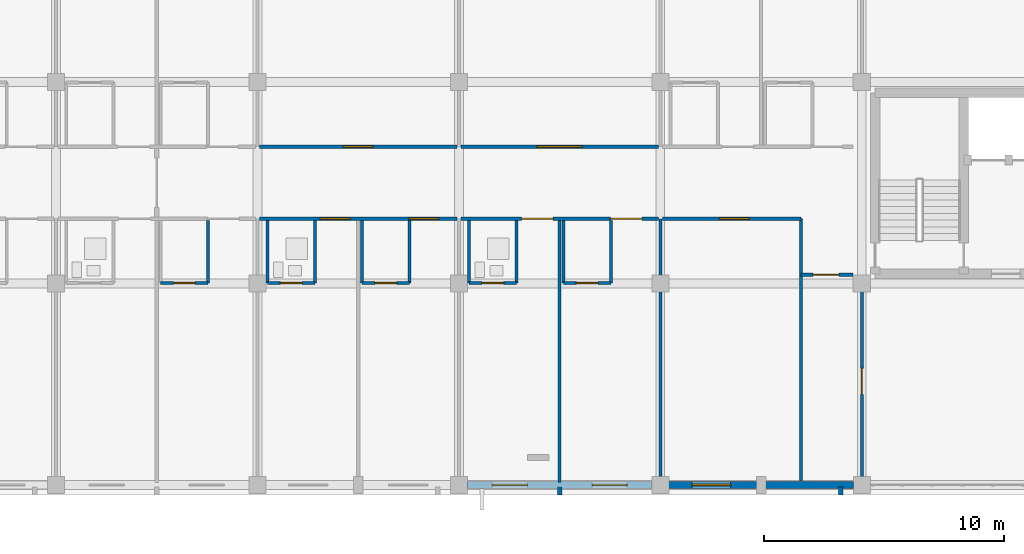
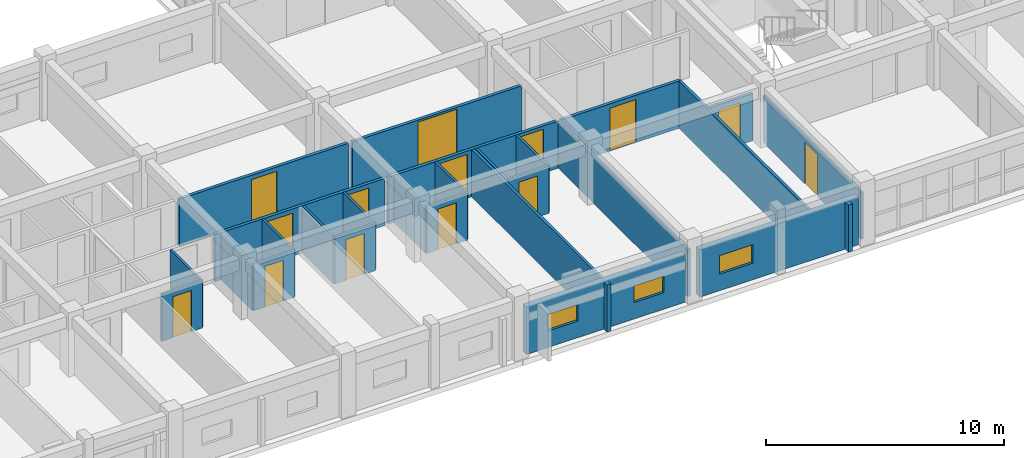
# One storey, part 115 of 148: 28 walls, 14 doors, 3 windows, 17 openings.
"""IFC4 building model written with IfcOpenShell, lengths in metres."""

from ifc_helpers import new_model, si_unit, direction, frame, frame_2d, origin, place, context, subcontext, project, spatial, rectangle, extrude, material, layer, layer_set, type_object, element, fill, save


model = new_model("IFC4")

# Units and contexts
model_context = context("Model", 3, precision=1e-05, world=origin(), true_north=direction((0.0, 1.0)))
body_context = subcontext(model_context, "Body", "Model", "MODEL_VIEW")
ifc_project = project(units=[si_unit("LENGTHUNIT", "METRE"), si_unit("AREAUNIT", "SQUARE_METRE"), si_unit("VOLUMEUNIT", "CUBIC_METRE"), si_unit("PLANEANGLEUNIT", "RADIAN"), si_unit("MASSUNIT", "GRAM", prefix="KILO")], contexts=[model_context])

# Site, building, storey
site_placement = place(None, origin())
site = spatial("IfcSite", under=ifc_project, at=site_placement, CompositionType="ELEMENT")
building_placement = place(site_placement, origin())
building = spatial("IfcBuilding", under=site, at=building_placement, Name="Trelvath General Hospital", CompositionType="ELEMENT")
storey_placement = place(building_placement, frame((0.0, 0.0, 12.89990234375)))
storey = spatial("IfcBuildingStorey", under=building, at=storey_placement, Name="L03", CompositionType="ELEMENT", Elevation=12.89990234375)

# Walls
ifc_material_1 = material(Name="Precast concrete C40/50", Category="concrete")
ifc_layer_1 = layer(ifc_material_1, 0.199951171875)
ifc_layer_set_1 = layer_set([ifc_layer_1], Name="Precast concrete C40/50")
wall_type_1 = type_object("IfcWallType", Name="BriseSoleilRib 200", PredefinedType="ELEMENTEDWALL", material=ifc_layer_set_1)
for number, where, z_axis, x_axis, name in (
    (1, (79.800048828125, -0.074951171875, 0.0), (0.0, 0.0, 1.0), (0.0, -1.0, 0.0), "Precast Concrete Brise-Soleil Rib Fin L03-272"),
    (2, (91.515380859375, -0.074951171875, 0.0), (0.0, 0.0, 1.0), (0.0, -1.0, 0.0), "Precast Concrete Brise-Soleil Rib Fin L03-274"),
):
    element("IfcWall", number, at=place(storey_placement, frame(where, z_axis=z_axis, x_axis=x_axis)), inside=storey, type_object=wall_type_1, Name=name, PredefinedType="ELEMENTEDWALL", context=body_context, shape_type="SweptSolid", body=[
        extrude(rectangle(XDim=0.340087890625, YDim=0.199951171875, at=frame_2d((0.169921875, 0.0))), origin(), (0.0, 0.0, 1.0), 2.420166015625),
    ])

# Wall, openings, doors
ifc_material_2 = material(Name="Gypsum acoustic steel-stud partition", Category="steel")
ifc_layer_2 = layer(ifc_material_2, 0.14990234375)
ifc_layer_set_2 = layer_set([ifc_layer_2], Name="Gypsum acoustic steel-stud partition")
wall_type_2 = type_object("IfcWallType", Name="ClinicalPartition 150", PredefinedType="PARTITIONING", material=ifc_layer_set_2)
wall_1_placement = place(storey_placement, frame((67.280029296875, 11.10009765625, 0.0), z_axis=(0.0, 0.0, 1.0), x_axis=(1.0, 0.0, 0.0)))
wall_1 = element("IfcWall", 3, at=wall_1_placement, inside=storey, type_object=wall_type_2, Name="Corridor Partition L03-1133", PredefinedType="PARTITIONING", context=body_context, shape_type="SweptSolid", body=[
    extrude(rectangle(XDim=8.239990234375, YDim=0.14990234375, at=frame_2d((4.1201171875, 0.0))), origin(), (0.0, 0.0, 1.0), 2.420166015625),
])
opening_1_placement = place(wall_1_placement, frame((2.530029296875, 0.0, 0.0)))
opening_1 = element("IfcOpeningElement", 4, at=opening_1_placement, cuts=wall_1, Name="Opening D-3-0853", PredefinedType="OPENING", context=body_context, shape_type="SweptSolid", body=[
    extrude(rectangle(XDim=1.25, YDim=2.199951171875, at=frame_2d((0.625, 1.10009765625))), frame((0.0, 0.0849609375, 0.0), z_axis=(0.0, -1.0, 0.0), x_axis=(1.0, 0.0, 0.0)), (0.0, 0.0, 1.0), 0.169921875),
])
opening_2_placement = place(wall_1_placement, frame((6.22998046875, 0.0, 0.0)))
opening_2 = element("IfcOpeningElement", 5, at=opening_2_placement, cuts=wall_1, Name="Opening D-3-0854", PredefinedType="OPENING", context=body_context, shape_type="SweptSolid", body=[
    extrude(rectangle(XDim=1.25, YDim=2.199951171875, at=frame_2d((0.625, 1.10009765625))), frame((0.0, 0.0849609375, 0.0), z_axis=(0.0, -1.0, 0.0), x_axis=(1.0, 0.0, 0.0)), (0.0, 0.0, 1.0), 0.169921875),
])
ifc_material_3 = material(Name="Acoustic hospital timber leaf", Category="wood")
door_type_1 = type_object("IfcDoorType", Name="Door Treatment 1250x2200", OperationType="NOTDEFINED", PredefinedType="DOOR", material=ifc_material_3)
door_1_placement = place(opening_1_placement, origin())
door_1 = element("IfcDoor", 6, at=door_1_placement, inside=storey, type_object=door_type_1, Name="Patient Room Door L03-853", OperationType="SINGLE_SWING_RIGHT", OverallHeight=2.199951171875, OverallWidth=1.25, PredefinedType="DOOR", context=body_context, shape_type="SweptSolid", body=[
    extrude(rectangle(XDim=1.25, YDim=2.199951171875, at=frame_2d((0.625, 1.10009765625))), frame((0.0, 0.02490234375, 0.0), z_axis=(0.0, -1.0, 0.0), x_axis=(1.0, 0.0, 0.0)), (0.0, 0.0, 1.0), 0.050048828125),
])
fill(opening_1, door_1)
door_2_placement = place(opening_2_placement, origin())
door_2 = element("IfcDoor", 7, at=door_2_placement, inside=storey, type_object=door_type_1, Name="Patient Room Door L03-854", OperationType="SINGLE_SWING_LEFT", OverallHeight=2.199951171875, OverallWidth=1.25, PredefinedType="DOOR", context=body_context, shape_type="SweptSolid", body=[
    extrude(rectangle(XDim=1.25, YDim=2.199951171875, at=frame_2d((0.625, 1.10009765625))), frame((0.0, 0.02490234375, 0.0), z_axis=(0.0, -1.0, 0.0), x_axis=(1.0, 0.0, 0.0)), (0.0, 0.0, 1.0), 0.050048828125),
])
fill(opening_2, door_2)

# Wall, opening, door
wall_2_placement = place(storey_placement, frame((75.52001953125, 14.10009765625, 0.0), z_axis=(0.0, 0.0, 1.0), x_axis=(-1.0, 0.0, 0.0)))
wall_2 = element("IfcWall", 8, at=wall_2_placement, inside=storey, type_object=wall_type_2, Name="Corridor Partition N L03-1141", PredefinedType="PARTITIONING", context=body_context, shape_type="SweptSolid", body=[
    extrude(rectangle(XDim=8.239990234375, YDim=0.14990234375, at=frame_2d((4.1201171875, 0.0))), origin(), (0.0, 0.0, 1.0), 2.420166015625),
])
opening_3_placement = place(wall_2_placement, frame((3.4951171875, 0.0, 0.0)))
opening_3 = element("IfcOpeningElement", 9, at=opening_3_placement, cuts=wall_2, Name="Opening D-3-0857", PredefinedType="OPENING", context=body_context, shape_type="SweptSolid", body=[
    extrude(rectangle(XDim=1.25, YDim=2.199951171875, at=frame_2d((0.625, 1.10009765625))), frame((0.0, 0.0849609375, 0.0), z_axis=(0.0, -1.0, 0.0), x_axis=(1.0, 0.0, 0.0)), (0.0, 0.0, 1.0), 0.169921875),
])
door_3_placement = place(opening_3_placement, origin())
door_3 = element("IfcDoor", 10, at=door_3_placement, inside=storey, type_object=door_type_1, Name="Clinical Room Door L03-857", OperationType="SINGLE_SWING_RIGHT", OverallHeight=2.199951171875, OverallWidth=1.25, PredefinedType="DOOR", context=body_context, shape_type="SweptSolid", body=[
    extrude(rectangle(XDim=1.25, YDim=2.199951171875, at=frame_2d((0.625, 1.10009765625))), frame((0.0, 0.02490234375, 0.0), z_axis=(0.0, -1.0, 0.0), x_axis=(1.0, 0.0, 0.0)), (0.0, 0.0, 1.0), 0.050048828125),
])
fill(opening_3, door_3)

# Wall, openings, doors
wall_3_placement = place(storey_placement, frame((75.679931640625, 11.10009765625, 0.0), z_axis=(0.0, 0.0, 1.0), x_axis=(1.0, 0.0, 0.0)))
wall_3 = element("IfcWall", 11, at=wall_3_placement, inside=storey, type_object=wall_type_2, Name="Corridor Partition L03-1144", PredefinedType="PARTITIONING", context=body_context, shape_type="SweptSolid", body=[
    extrude(rectangle(XDim=8.239990234375, YDim=0.14990234375, at=frame_2d((4.1201171875, 0.0))), origin(), (0.0, 0.0, 1.0), 2.420166015625),
])
opening_4_placement = place(wall_3_placement, frame((2.530029296875, 0.0, 0.0)))
opening_4 = element("IfcOpeningElement", 12, at=opening_4_placement, cuts=wall_3, Name="Opening D-3-0858", PredefinedType="OPENING", context=body_context, shape_type="SweptSolid", body=[
    extrude(rectangle(XDim=1.320068359375, YDim=2.25, at=frame_2d((0.66015625, 1.125))), frame((0.0, 0.0849609375, 0.0), z_axis=(0.0, -1.0, 0.0), x_axis=(1.0, 0.0, 0.0)), (0.0, 0.0, 1.0), 0.169921875),
])
opening_5_placement = place(wall_3_placement, frame((6.22998046875, 0.0, 0.0)))
opening_5 = element("IfcOpeningElement", 13, at=opening_5_placement, cuts=wall_3, Name="Opening D-3-0859", PredefinedType="OPENING", context=body_context, shape_type="SweptSolid", body=[
    extrude(rectangle(XDim=1.320068359375, YDim=2.25, at=frame_2d((0.66015625, 1.125))), frame((0.0, 0.0849609375, 0.0), z_axis=(0.0, -1.0, 0.0), x_axis=(1.0, 0.0, 0.0)), (0.0, 0.0, 1.0), 0.169921875),
])
ifc_material_4 = material(Name="Maternity bed-leaf timber door", Category="wood")
door_type_2 = type_object("IfcDoorType", Name="Door PatientMaternity 1320x2250", OperationType="NOTDEFINED", PredefinedType="DOOR", material=ifc_material_4)
door_4_placement = place(opening_4_placement, origin())
door_4 = element("IfcDoor", 14, at=door_4_placement, inside=storey, type_object=door_type_2, Name="Patient Room Door L03-858", OperationType="SINGLE_SWING_LEFT", OverallHeight=2.25, OverallWidth=1.320068359375, PredefinedType="DOOR", context=body_context, shape_type="SweptSolid", body=[
    extrude(rectangle(XDim=1.320068359375, YDim=2.25, at=frame_2d((0.66015625, 1.125))), frame((0.0, 0.02490234375, 0.0), z_axis=(0.0, -1.0, 0.0), x_axis=(1.0, 0.0, 0.0)), (0.0, 0.0, 1.0), 0.050048828125),
])
fill(opening_4, door_4)
door_5_placement = place(opening_5_placement, origin())
door_5 = element("IfcDoor", 15, at=door_5_placement, inside=storey, type_object=door_type_2, Name="Patient Room Door L03-859", OperationType="SINGLE_SWING_RIGHT", OverallHeight=2.25, OverallWidth=1.320068359375, PredefinedType="DOOR", context=body_context, shape_type="SweptSolid", body=[
    extrude(rectangle(XDim=1.320068359375, YDim=2.25, at=frame_2d((0.66015625, 1.125))), frame((0.0, 0.02490234375, 0.0), z_axis=(0.0, -1.0, 0.0), x_axis=(1.0, 0.0, 0.0)), (0.0, 0.0, 1.0), 0.050048828125),
])
fill(opening_5, door_5)

# Wall, opening, door
wall_4_placement = place(storey_placement, frame((83.919921875, 14.10009765625, 0.0), z_axis=(0.0, 0.0, 1.0), x_axis=(-1.0, 0.0, 0.0)))
wall_4 = element("IfcWall", 16, at=wall_4_placement, inside=storey, type_object=wall_type_2, Name="Corridor Partition N L03-1153", PredefinedType="PARTITIONING", context=body_context, shape_type="SweptSolid", body=[
    extrude(rectangle(XDim=8.239990234375, YDim=0.14990234375, at=frame_2d((4.1201171875, 0.0))), origin(), (0.0, 0.0, 1.0), 2.420166015625),
])
opening_6_placement = place(wall_4_placement, frame((3.169921875, 0.0, 0.0)))
opening_6 = element("IfcOpeningElement", 17, at=opening_6_placement, cuts=wall_4, Name="Opening D-3-0862", PredefinedType="OPENING", context=body_context, shape_type="SweptSolid", body=[
    extrude(rectangle(XDim=1.89990234375, YDim=2.320068359375, at=frame_2d((0.949951171875, 1.16015625))), frame((0.0, 0.0849609375, 0.0), z_axis=(0.0, -1.0, 0.0), x_axis=(1.0, 0.0, 0.0)), (0.0, 0.0, 1.0), 0.169921875),
])
ifc_material_5 = material(Name="Thermally broken glazed aluminium pair", Category="aluminium")
door_type_3 = type_object("IfcDoorType", Name="Door BridgeEntry 1900x2400", OperationType="DOUBLE_SWING_LEFT", PredefinedType="DOOR", material=ifc_material_5)
door_6_placement = place(opening_6_placement, origin())
door_6 = element("IfcDoor", 18, at=door_6_placement, inside=storey, type_object=door_type_3, Name="Bridge Lounge Corridor Door N L03-862", OperationType="DOUBLE_SWING_LEFT", OverallHeight=2.320068359375, OverallWidth=1.89990234375, PredefinedType="DOOR", context=body_context, shape_type="SweptSolid", body=[
    extrude(rectangle(XDim=1.89990234375, YDim=2.320068359375, at=frame_2d((0.949951171875, 1.16015625))), frame((0.0, 0.02490234375, 0.0), z_axis=(0.0, -1.0, 0.0), x_axis=(1.0, 0.0, 0.0)), (0.0, 0.0, 1.0), 0.050048828125),
])
fill(opening_6, door_6)

wall_5_placement = place(storey_placement, frame((84.080078125, 11.10009765625, 0.0), z_axis=(0.0, 0.0, 1.0), x_axis=(1.0, 0.0, 0.0)))
wall_5 = element("IfcWall", 19, at=wall_5_placement, inside=storey, type_object=wall_type_2, Name="Nurse Station Partition L03-1156", PredefinedType="PARTITIONING", context=body_context, shape_type="SweptSolid", body=[
    extrude(rectangle(XDim=5.780029296875, YDim=0.14990234375, at=frame_2d((2.89013671875, 0.0))), origin(), (0.0, 0.0, 1.0), 2.420166015625),
])
opening_7_placement = place(wall_5_placement, frame((2.3798828125, 0.0, 0.0)))
opening_7 = element("IfcOpeningElement", 20, at=opening_7_placement, cuts=wall_5, Name="Opening D-3-0863", PredefinedType="OPENING", context=body_context, shape_type="SweptSolid", body=[
    extrude(rectangle(XDim=1.25, YDim=2.199951171875, at=frame_2d((0.625, 1.10009765625))), frame((0.0, 0.0849609375, 0.0), z_axis=(0.0, -1.0, 0.0), x_axis=(1.0, 0.0, 0.0)), (0.0, 0.0, 1.0), 0.169921875),
])
door_7_placement = place(opening_7_placement, origin())
door_7 = element("IfcDoor", 21, at=door_7_placement, inside=storey, type_object=door_type_1, Name="Nurse Station Door L03-863", OperationType="SINGLE_SWING_LEFT", OverallHeight=2.199951171875, OverallWidth=1.25, PredefinedType="DOOR", context=body_context, shape_type="SweptSolid", body=[
    extrude(rectangle(XDim=1.25, YDim=2.199951171875, at=frame_2d((0.625, 1.10009765625))), frame((0.0, 0.02490234375, 0.0), z_axis=(0.0, -1.0, 0.0), x_axis=(1.0, 0.0, 0.0)), (0.0, 0.0, 1.0), 0.050048828125),
])
fill(opening_7, door_7)

wall_6_placement = place(storey_placement, frame((89.860107421875, 8.760009765625, 0.0), z_axis=(0.0, 0.0, 1.0), x_axis=(1.0, 0.0, 0.0)))
wall_6 = element("IfcWall", 22, at=wall_6_placement, inside=storey, type_object=wall_type_2, Name="Clean Utility Partition L03-1158", PredefinedType="PARTITIONING", context=body_context, shape_type="SweptSolid", body=[
    extrude(rectangle(XDim=2.179931640625, YDim=0.14990234375, at=frame_2d((1.08984375, 0.0))), origin(), (0.0, 0.0, 1.0), 2.420166015625),
])
opening_8_placement = place(wall_6_placement, frame((0.5, 0.0, 0.0)))
opening_8 = element("IfcOpeningElement", 23, at=opening_8_placement, cuts=wall_6, Name="Opening D-3-0864", PredefinedType="OPENING", context=body_context, shape_type="SweptSolid", body=[
    extrude(rectangle(XDim=1.080078125, YDim=2.14990234375, at=frame_2d((0.5400390625, 1.074951171875))), frame((0.0, 0.0849609375, 0.0), z_axis=(0.0, -1.0, 0.0), x_axis=(1.0, 0.0, 0.0)), (0.0, 0.0, 1.0), 0.169921875),
])
ifc_material_6 = material(Name="Acoustic hospital timber leaf", Category="wood")
door_type_4 = type_object("IfcDoorType", Name="Door CleanSupply 1080x2150", OperationType="NOTDEFINED", PredefinedType="DOOR", material=ifc_material_6)
door_8_placement = place(opening_8_placement, origin())
door_8 = element("IfcDoor", 24, at=door_8_placement, inside=storey, type_object=door_type_4, Name="Clean Utility Door L03-864", OperationType="SINGLE_SWING_RIGHT", OverallHeight=2.14990234375, OverallWidth=1.080078125, PredefinedType="DOOR", context=body_context, shape_type="SweptSolid", body=[
    extrude(rectangle(XDim=1.080078125, YDim=2.14990234375, at=frame_2d((0.5400390625, 1.074951171875))), frame((0.0, 0.02490234375, 0.0), z_axis=(0.0, -1.0, 0.0), x_axis=(1.0, 0.0, 0.0)), (0.0, 0.0, 1.0), 0.050048828125),
])
fill(opening_8, door_8)

# Wall
ifc_material_7 = material(Name="Moisture-resistant tile partition")
ifc_layer_3 = layer(ifc_material_7, 0.110107421875)
ifc_layer_set_3 = layer_set([ifc_layer_3], Name="Moisture-resistant tile partition")
wall_type_3 = type_object("IfcWallType", Name="EnSuiteWetWall 110", PredefinedType="PARTITIONING", material=ifc_layer_set_3)
wall_7_placement = place(storey_placement, frame((65.139892578125, 8.419921875, 0.0), z_axis=(0.0, 0.0, 1.0), x_axis=(0.0, 1.0, 0.0)))
element("IfcWall", 25, at=wall_7_placement, inside=storey, type_object=wall_type_3, Name="En-Suite E Wall L03-1120", PredefinedType="PARTITIONING", context=body_context, shape_type="SweptSolid", body=[
    extrude(rectangle(XDim=2.610107421875, YDim=0.110107421875, at=frame_2d((1.30517578125, 0.0))), origin(), (0.0, 0.0, 1.0), 2.420166015625),
])

# Wall, opening, door
wall_8_placement = place(storey_placement, frame((63.159912109375, 8.419921875, 0.0), z_axis=(0.0, 0.0, 1.0), x_axis=(1.0, 0.0, 0.0)))
wall_8 = element("IfcWall", 26, at=wall_8_placement, inside=storey, type_object=wall_type_3, Name="En-Suite Bathroom Partition L03-1121", PredefinedType="PARTITIONING", context=body_context, shape_type="SweptSolid", body=[
    extrude(rectangle(XDim=1.97998046875, YDim=0.110107421875, at=frame_2d((0.989990234375, 0.0))), origin(), (0.0, 0.0, 1.0), 2.420166015625),
])
opening_9_placement = place(wall_8_placement, frame((0.5400390625, 0.0, 0.0)))
opening_9 = element("IfcOpeningElement", 27, at=opening_9_placement, cuts=wall_8, Name="Opening D-3-0847", PredefinedType="OPENING", context=body_context, shape_type="SweptSolid", body=[
    extrude(rectangle(XDim=0.89990234375, YDim=2.10009765625, at=frame_2d((0.449951171875, 1.050048828125))), frame((0.0, 0.06494140625, 0.0), z_axis=(0.0, -1.0, 0.0), x_axis=(1.0, 0.0, 0.0)), (0.0, 0.0, 1.0), 0.130126953125),
])
ifc_material_8 = material(Name="Moisture-sealed timber leaf", Category="wood")
door_type_5 = type_object("IfcDoorType", Name="Door EnSuite 900x2100", OperationType="NOTDEFINED", PredefinedType="DOOR", material=ifc_material_8)
door_9_placement = place(opening_9_placement, origin())
door_9 = element("IfcDoor", 28, at=door_9_placement, inside=storey, type_object=door_type_5, Name="En-Suite Bathroom Door L03-847", OperationType="SINGLE_SWING_RIGHT", OverallHeight=2.10009765625, OverallWidth=0.89990234375, PredefinedType="DOOR", context=body_context, shape_type="SweptSolid", body=[
    extrude(rectangle(XDim=0.89990234375, YDim=2.10009765625, at=frame_2d((0.449951171875, 1.050048828125))), frame((0.0, 0.02490234375, 0.0), z_axis=(0.0, -1.0, 0.0), x_axis=(1.0, 0.0, 0.0)), (0.0, 0.0, 1.0), 0.050048828125),
])
fill(opening_9, door_9)

# Walls
for number, where, z_axis, x_axis, name in (
    (29, (67.6201171875, 8.419921875, 0.0), (0.0, 0.0, 1.0), (0.0, 1.0, 0.0), "En-Suite W Wall L03-1135"),
    (30, (69.60009765625, 8.419921875, 0.0), (0.0, 0.0, 1.0), (0.0, 1.0, 0.0), "En-Suite E Wall L03-1136"),
):
    element("IfcWall", number, at=place(storey_placement, frame(where, z_axis=z_axis, x_axis=x_axis)), inside=storey, type_object=wall_type_3, Name=name, PredefinedType="PARTITIONING", context=body_context, shape_type="SweptSolid", body=[
        extrude(rectangle(XDim=2.610107421875, YDim=0.110107421875, at=frame_2d((1.30517578125, 0.0))), origin(), (0.0, 0.0, 1.0), 2.420166015625),
    ])

# Wall, opening, door
wall_9_placement = place(storey_placement, frame((67.6201171875, 8.419921875, 0.0), z_axis=(0.0, 0.0, 1.0), x_axis=(1.0, 0.0, 0.0)))
wall_9 = element("IfcWall", 31, at=wall_9_placement, inside=storey, type_object=wall_type_3, Name="En-Suite Bathroom Partition L03-1137", PredefinedType="PARTITIONING", context=body_context, shape_type="SweptSolid", body=[
    extrude(rectangle(XDim=1.97998046875, YDim=0.110107421875, at=frame_2d((0.989990234375, 0.0))), origin(), (0.0, 0.0, 1.0), 2.420166015625),
])
opening_10_placement = place(wall_9_placement, frame((0.5400390625, 0.0, 0.0)))
opening_10 = element("IfcOpeningElement", 32, at=opening_10_placement, cuts=wall_9, Name="Opening D-3-0855", PredefinedType="OPENING", context=body_context, shape_type="SweptSolid", body=[
    extrude(rectangle(XDim=0.89990234375, YDim=2.10009765625, at=frame_2d((0.449951171875, 1.050048828125))), frame((0.0, 0.06494140625, 0.0), z_axis=(0.0, -1.0, 0.0), x_axis=(1.0, 0.0, 0.0)), (0.0, 0.0, 1.0), 0.130126953125),
])
door_10_placement = place(opening_10_placement, origin())
door_10 = element("IfcDoor", 33, at=door_10_placement, inside=storey, type_object=door_type_5, Name="En-Suite Bathroom Door L03-855", OperationType="SINGLE_SWING_RIGHT", OverallHeight=2.10009765625, OverallWidth=0.89990234375, PredefinedType="DOOR", context=body_context, shape_type="SweptSolid", body=[
    extrude(rectangle(XDim=0.89990234375, YDim=2.10009765625, at=frame_2d((0.449951171875, 1.050048828125))), frame((0.0, 0.02490234375, 0.0), z_axis=(0.0, -1.0, 0.0), x_axis=(1.0, 0.0, 0.0)), (0.0, 0.0, 1.0), 0.050048828125),
])
fill(opening_10, door_10)

# Walls
for number, where, z_axis, x_axis, name in (
    (34, (71.56005859375, 8.419921875, 0.0), (0.0, 0.0, 1.0), (0.0, 1.0, 0.0), "En-Suite W Wall L03-1138"),
    (35, (73.5400390625, 8.419921875, 0.0), (0.0, 0.0, 1.0), (0.0, 1.0, 0.0), "En-Suite E Wall L03-1139"),
):
    element("IfcWall", number, at=place(storey_placement, frame(where, z_axis=z_axis, x_axis=x_axis)), inside=storey, type_object=wall_type_3, Name=name, PredefinedType="PARTITIONING", context=body_context, shape_type="SweptSolid", body=[
        extrude(rectangle(XDim=2.610107421875, YDim=0.110107421875, at=frame_2d((1.30517578125, 0.0))), origin(), (0.0, 0.0, 1.0), 2.420166015625),
    ])

# Wall, opening, door
wall_10_placement = place(storey_placement, frame((71.56005859375, 8.419921875, 0.0), z_axis=(0.0, 0.0, 1.0), x_axis=(1.0, 0.0, 0.0)))
wall_10 = element("IfcWall", 36, at=wall_10_placement, inside=storey, type_object=wall_type_3, Name="En-Suite Bathroom Partition L03-1140", PredefinedType="PARTITIONING", context=body_context, shape_type="SweptSolid", body=[
    extrude(rectangle(XDim=1.97998046875, YDim=0.110107421875, at=frame_2d((0.989990234375, 0.0))), origin(), (0.0, 0.0, 1.0), 2.420166015625),
])
opening_11_placement = place(wall_10_placement, frame((0.5400390625, 0.0, 0.0)))
opening_11 = element("IfcOpeningElement", 37, at=opening_11_placement, cuts=wall_10, Name="Opening D-3-0856", PredefinedType="OPENING", context=body_context, shape_type="SweptSolid", body=[
    extrude(rectangle(XDim=0.89990234375, YDim=2.10009765625, at=frame_2d((0.449951171875, 1.050048828125))), frame((0.0, 0.06494140625, 0.0), z_axis=(0.0, -1.0, 0.0), x_axis=(1.0, 0.0, 0.0)), (0.0, 0.0, 1.0), 0.130126953125),
])
door_11_placement = place(opening_11_placement, origin())
door_11 = element("IfcDoor", 38, at=door_11_placement, inside=storey, type_object=door_type_5, Name="En-Suite Bathroom Door L03-856", OperationType="SINGLE_SWING_LEFT", OverallHeight=2.10009765625, OverallWidth=0.89990234375, PredefinedType="DOOR", context=body_context, shape_type="SweptSolid", body=[
    extrude(rectangle(XDim=0.89990234375, YDim=2.10009765625, at=frame_2d((0.449951171875, 1.050048828125))), frame((0.0, 0.02490234375, 0.0), z_axis=(0.0, -1.0, 0.0), x_axis=(1.0, 0.0, 0.0)), (0.0, 0.0, 1.0), 0.050048828125),
])
fill(opening_11, door_11)

# Walls
for number, where, z_axis, x_axis, name in (
    (39, (76.02001953125, 8.419921875, 0.0), (0.0, 0.0, 1.0), (0.0, 1.0, 0.0), "En-Suite W Wall L03-1146"),
    (40, (78.0, 8.419921875, 0.0), (0.0, 0.0, 1.0), (0.0, 1.0, 0.0), "En-Suite E Wall L03-1147"),
):
    element("IfcWall", number, at=place(storey_placement, frame(where, z_axis=z_axis, x_axis=x_axis)), inside=storey, type_object=wall_type_3, Name=name, PredefinedType="PARTITIONING", context=body_context, shape_type="SweptSolid", body=[
        extrude(rectangle(XDim=2.610107421875, YDim=0.110107421875, at=frame_2d((1.30517578125, 0.0))), origin(), (0.0, 0.0, 1.0), 2.420166015625),
    ])

# Wall, opening, door
wall_11_placement = place(storey_placement, frame((76.02001953125, 8.419921875, 0.0), z_axis=(0.0, 0.0, 1.0), x_axis=(1.0, 0.0, 0.0)))
wall_11 = element("IfcWall", 41, at=wall_11_placement, inside=storey, type_object=wall_type_3, Name="En-Suite Bathroom Partition L03-1148", PredefinedType="PARTITIONING", context=body_context, shape_type="SweptSolid", body=[
    extrude(rectangle(XDim=1.97998046875, YDim=0.110107421875, at=frame_2d((0.989990234375, 0.0))), origin(), (0.0, 0.0, 1.0), 2.420166015625),
])
opening_12_placement = place(wall_11_placement, frame((0.5400390625, 0.0, 0.0)))
opening_12 = element("IfcOpeningElement", 42, at=opening_12_placement, cuts=wall_11, Name="Opening D-3-0860", PredefinedType="OPENING", context=body_context, shape_type="SweptSolid", body=[
    extrude(rectangle(XDim=0.89990234375, YDim=2.10009765625, at=frame_2d((0.449951171875, 1.050048828125))), frame((0.0, 0.06494140625, 0.0), z_axis=(0.0, -1.0, 0.0), x_axis=(1.0, 0.0, 0.0)), (0.0, 0.0, 1.0), 0.130126953125),
])
door_12_placement = place(opening_12_placement, origin())
door_12 = element("IfcDoor", 43, at=door_12_placement, inside=storey, type_object=door_type_5, Name="En-Suite Bathroom Door L03-860", OperationType="SINGLE_SWING_LEFT", OverallHeight=2.10009765625, OverallWidth=0.89990234375, PredefinedType="DOOR", context=body_context, shape_type="SweptSolid", body=[
    extrude(rectangle(XDim=0.89990234375, YDim=2.10009765625, at=frame_2d((0.449951171875, 1.050048828125))), frame((0.0, 0.02490234375, 0.0), z_axis=(0.0, -1.0, 0.0), x_axis=(1.0, 0.0, 0.0)), (0.0, 0.0, 1.0), 0.050048828125),
])
fill(opening_12, door_12)

# Walls
for number, where, z_axis, x_axis, name in (
    (44, (79.9599609375, 8.419921875, 0.0), (0.0, 0.0, 1.0), (0.0, 1.0, 0.0), "En-Suite W Wall L03-1149"),
    (45, (81.93994140625, 8.419921875, 0.0), (0.0, 0.0, 1.0), (0.0, 1.0, 0.0), "En-Suite E Wall L03-1150"),
):
    element("IfcWall", number, at=place(storey_placement, frame(where, z_axis=z_axis, x_axis=x_axis)), inside=storey, type_object=wall_type_3, Name=name, PredefinedType="PARTITIONING", context=body_context, shape_type="SweptSolid", body=[
        extrude(rectangle(XDim=2.610107421875, YDim=0.110107421875, at=frame_2d((1.30517578125, 0.0))), origin(), (0.0, 0.0, 1.0), 2.420166015625),
    ])

# Wall, opening, door
wall_12_placement = place(storey_placement, frame((79.9599609375, 8.419921875, 0.0), z_axis=(0.0, 0.0, 1.0), x_axis=(1.0, 0.0, 0.0)))
wall_12 = element("IfcWall", 46, at=wall_12_placement, inside=storey, type_object=wall_type_3, Name="En-Suite Bathroom Partition L03-1151", PredefinedType="PARTITIONING", context=body_context, shape_type="SweptSolid", body=[
    extrude(rectangle(XDim=1.97998046875, YDim=0.110107421875, at=frame_2d((0.989990234375, 0.0))), origin(), (0.0, 0.0, 1.0), 2.420166015625),
])
opening_13_placement = place(wall_12_placement, frame((0.5400390625, 0.0, 0.0)))
opening_13 = element("IfcOpeningElement", 47, at=opening_13_placement, cuts=wall_12, Name="Opening D-3-0861", PredefinedType="OPENING", context=body_context, shape_type="SweptSolid", body=[
    extrude(rectangle(XDim=0.89990234375, YDim=2.10009765625, at=frame_2d((0.449951171875, 1.050048828125))), frame((0.0, 0.06494140625, 0.0), z_axis=(0.0, -1.0, 0.0), x_axis=(1.0, 0.0, 0.0)), (0.0, 0.0, 1.0), 0.130126953125),
])
door_13_placement = place(opening_13_placement, origin())
door_13 = element("IfcDoor", 48, at=door_13_placement, inside=storey, type_object=door_type_5, Name="En-Suite Bathroom Door L03-861", OperationType="SINGLE_SWING_RIGHT", OverallHeight=2.10009765625, OverallWidth=0.89990234375, PredefinedType="DOOR", context=body_context, shape_type="SweptSolid", body=[
    extrude(rectangle(XDim=0.89990234375, YDim=2.10009765625, at=frame_2d((0.449951171875, 1.050048828125))), frame((0.0, 0.02490234375, 0.0), z_axis=(0.0, -1.0, 0.0), x_axis=(1.0, 0.0, 0.0)), (0.0, 0.0, 1.0), 0.050048828125),
])
fill(opening_13, door_13)

# Wall, openings, windows
ifc_material_9 = material(Name="Concrete C35/45", Category="concrete")
ifc_layer_4 = layer(ifc_material_9, 0.2900390625)
ifc_layer_set_4 = layer_set([ifc_layer_4], Name="Concrete C35/45")
wall_type_4 = type_object("IfcWallType", Name="ExtBushHammeredWall 290", PredefinedType="SOLIDWALL", material=ifc_layer_set_4)
wall_13_placement = place(storey_placement, frame((83.655029296875, 0.0, 0.0), z_axis=(0.0, 0.0, 1.0), x_axis=(-1.0, 0.0, 0.0)))
wall_13 = element("IfcWall", 49, at=wall_13_placement, inside=storey, type_object=wall_type_4, Name="Exterior Concrete Wall L03-380", PredefinedType="SOLIDWALL", context=body_context, shape_type="SweptSolid", body=[
    extrude(rectangle(XDim=7.7099609375, YDim=0.2900390625, at=frame_2d((3.85498046875, 0.0))), origin(), (0.0, 0.0, 1.0), 2.440185546875),
])
opening_14_placement = place(wall_13_placement, frame((1.043212890625, 0.0, 0.85009765625)))
opening_14 = element("IfcOpeningElement", 50, at=opening_14_placement, cuts=wall_13, Name="Opening WN-3-629", PredefinedType="OPENING", context=body_context, shape_type="SweptSolid", body=[
    extrude(rectangle(XDim=1.4599609375, YDim=0.85009765625, at=frame_2d((0.72998046875, 0.425048828125))), frame((0.0, 0.155029296875, 0.0), z_axis=(0.0, -1.0, 0.0), x_axis=(1.0, 0.0, 0.0)), (0.0, 0.0, 1.0), 0.31005859375),
])
opening_15_placement = place(wall_13_placement, frame((5.206787109375, 0.0, 0.85009765625)))
opening_15 = element("IfcOpeningElement", 51, at=opening_15_placement, cuts=wall_13, Name="Opening WN-3-630", PredefinedType="OPENING", context=body_context, shape_type="SweptSolid", body=[
    extrude(rectangle(XDim=1.4599609375, YDim=0.85009765625, at=frame_2d((0.72998046875, 0.425048828125))), frame((0.0, 0.155029296875, 0.0), z_axis=(0.0, -1.0, 0.0), x_axis=(1.0, 0.0, 0.0)), (0.0, 0.0, 1.0), 0.31005859375),
])
ifc_material_10 = material(Name="Low-E laminated glass", Category="glass")
window_type_1 = type_object("IfcWindowType", Name="Window ImagingClere 1460x850", PartitioningType="DOUBLE_PANEL_VERTICAL", PredefinedType="WINDOW", material=ifc_material_10)
window_1_placement = place(opening_14_placement, origin())
window_1 = element("IfcWindow", 52, at=window_1_placement, inside=storey, type_object=window_type_1, Name="Solar Reveal Window L03-629", OverallHeight=0.85009765625, OverallWidth=1.4599609375, PartitioningType="SINGLE_PANEL", PredefinedType="WINDOW", context=body_context, shape_type="SweptSolid", body=[
    extrude(rectangle(XDim=1.4599609375, YDim=0.85009765625, at=frame_2d((0.72998046875, 0.425048828125))), frame((0.0, 0.030029296875, 0.0), z_axis=(0.0, -1.0, 0.0), x_axis=(1.0, 0.0, 0.0)), (0.0, 0.0, 1.0), 0.06005859375),
])
fill(opening_14, window_1)
window_2_placement = place(opening_15_placement, origin())
window_2 = element("IfcWindow", 53, at=window_2_placement, inside=storey, type_object=window_type_1, Name="Solar Reveal Window L03-630", OverallHeight=0.85009765625, OverallWidth=1.4599609375, PartitioningType="SINGLE_PANEL", PredefinedType="WINDOW", context=body_context, shape_type="SweptSolid", body=[
    extrude(rectangle(XDim=1.4599609375, YDim=0.85009765625, at=frame_2d((0.72998046875, 0.425048828125))), frame((0.0, 0.030029296875, 0.0), z_axis=(0.0, -1.0, 0.0), x_axis=(1.0, 0.0, 0.0)), (0.0, 0.0, 1.0), 0.06005859375),
])
fill(opening_15, window_2)

# Wall, opening, window
wall_14_placement = place(storey_placement, frame((92.054931640625, 0.0, 0.0), z_axis=(0.0, 0.0, 1.0), x_axis=(-1.0, 0.0, 0.0)))
wall_14 = element("IfcWall", 54, at=wall_14_placement, inside=storey, type_object=wall_type_4, Name="Exterior Concrete Wall L03-389", PredefinedType="SOLIDWALL", context=body_context, shape_type="SweptSolid", body=[
    extrude(rectangle(XDim=7.7099609375, YDim=0.2900390625, at=frame_2d((3.85498046875, 0.0))), origin(), (0.0, 0.0, 1.0), 2.440185546875),
])
opening_16_placement = place(wall_14_placement, frame((5.126708984375, 0.0, 0.85009765625)))
opening_16 = element("IfcOpeningElement", 55, at=opening_16_placement, cuts=wall_14, Name="Opening WN-3-634", PredefinedType="OPENING", context=body_context, shape_type="SweptSolid", body=[
    extrude(rectangle(XDim=1.6201171875, YDim=0.949951171875, at=frame_2d((0.81005859375, 0.47509765625))), frame((0.0, 0.155029296875, 0.0), z_axis=(0.0, -1.0, 0.0), x_axis=(1.0, 0.0, 0.0)), (0.0, 0.0, 1.0), 0.31005859375),
])
ifc_material_11 = material(Name="Low-E laminated glass", Category="glass")
window_type_2 = type_object("IfcWindowType", Name="Window EmergencyClere 1620x950", PartitioningType="DOUBLE_PANEL_VERTICAL", PredefinedType="WINDOW", material=ifc_material_11)
window_3_placement = place(opening_16_placement, origin())
window_3 = element("IfcWindow", 56, at=window_3_placement, inside=storey, type_object=window_type_2, Name="Solar Reveal Window L03-634", OverallHeight=0.949951171875, OverallWidth=1.6201171875, PartitioningType="SINGLE_PANEL", PredefinedType="WINDOW", context=body_context, shape_type="SweptSolid", body=[
    extrude(rectangle(XDim=1.6201171875, YDim=0.949951171875, at=frame_2d((0.81005859375, 0.47509765625))), frame((0.0, 0.030029296875, 0.0), z_axis=(0.0, -1.0, 0.0), x_axis=(1.0, 0.0, 0.0)), (0.0, 0.0, 1.0), 0.06005859375),
])
fill(opening_16, window_3)

# Walls
ifc_material_12 = material(Name="Gypsum acoustic steel-stud partition", Category="steel")
ifc_layer_5 = layer(ifc_material_12, 0.1298828125)
ifc_layer_set_5 = layer_set([ifc_layer_5], Name="Gypsum acoustic steel-stud partition")
wall_type_5 = type_object("IfcWallType", Name="WardPartition 130", PredefinedType="PARTITIONING", material=ifc_layer_set_5)
wall_15_placement = place(storey_placement, frame((79.800048828125, 0.10009765625, 0.0), z_axis=(0.0, 0.0, 1.0), x_axis=(0.0, 1.0, 0.0)))
element("IfcWall", 57, at=wall_15_placement, inside=storey, type_object=wall_type_5, Name="Room Dividing Partition S L03-1145", PredefinedType="PARTITIONING", context=body_context, shape_type="SweptSolid", body=[
    extrude(rectangle(XDim=10.929931640625, YDim=0.1298828125, at=frame_2d((5.46484375, 0.0))), origin(), (0.0, 0.0, 1.0), 2.420166015625),
])
for number, where, z_axis, x_axis, name in (
    (58, (84.0, 0.139892578125, 0.0), (0.0, 0.0, 1.0), (0.0, 1.0, 0.0), "Inter-Bay Ward Partition S L03-1154"),
    (59, (89.860107421875, 0.159912109375, 0.0), (0.0, 0.0, 1.0), (0.0, 1.0, 0.0), "Nurse Alcove Partition L03-1157"),
):
    element("IfcWall", number, at=place(storey_placement, frame(where, z_axis=z_axis, x_axis=x_axis)), inside=storey, type_object=wall_type_5, Name=name, PredefinedType="PARTITIONING", context=body_context, shape_type="SweptSolid", body=[
        extrude(rectangle(XDim=10.940185546875, YDim=0.1298828125, at=frame_2d((5.47021484375, 0.0))), origin(), (0.0, 0.0, 1.0), 2.420166015625),
    ])

# Wall, opening, door
wall_16_placement = place(storey_placement, frame((92.39990234375, 0.139892578125, 0.0), z_axis=(0.0, 0.0, 1.0), x_axis=(0.0, 1.0, 0.0)))
wall_16 = element("IfcWall", 60, at=wall_16_placement, inside=storey, type_object=wall_type_5, Name="Inter-Bay Ward Partition S L03-1167", PredefinedType="PARTITIONING", context=body_context, shape_type="SweptSolid", body=[
    extrude(rectangle(XDim=8.210205078125, YDim=0.1298828125, at=frame_2d((4.10498046875, 0.0))), origin(), (0.0, 0.0, 1.0), 2.420166015625),
])
opening_17_placement = place(wall_16_placement, frame((3.639892578125, 0.0, 0.0)))
opening_17 = element("IfcOpeningElement", 61, at=opening_17_placement, cuts=wall_16, Name="Opening D-3-0869", PredefinedType="OPENING", context=body_context, shape_type="SweptSolid", body=[
    extrude(rectangle(XDim=1.080078125, YDim=2.14990234375, at=frame_2d((0.5400390625, 1.074951171875))), frame((0.0, 0.074951171875, 0.0), z_axis=(0.0, -1.0, 0.0), x_axis=(1.0, 0.0, 0.0)), (0.0, 0.0, 1.0), 0.14990234375),
])
door_14_placement = place(opening_17_placement, origin())
door_14 = element("IfcDoor", 62, at=door_14_placement, inside=storey, type_object=door_type_4, Name="Clean Supply Connecting Door L03-869", OperationType="SINGLE_SWING_RIGHT", OverallHeight=2.14990234375, OverallWidth=1.080078125, PredefinedType="DOOR", context=body_context, shape_type="SweptSolid", body=[
    extrude(rectangle(XDim=1.080078125, YDim=2.14990234375, at=frame_2d((0.5400390625, 1.074951171875))), frame((0.0, 0.02490234375, 0.0), z_axis=(0.0, -1.0, 0.0), x_axis=(1.0, 0.0, 0.0)), (0.0, 0.0, 1.0), 0.050048828125),
])
fill(opening_17, door_14)

save(model, "model.ifc")
